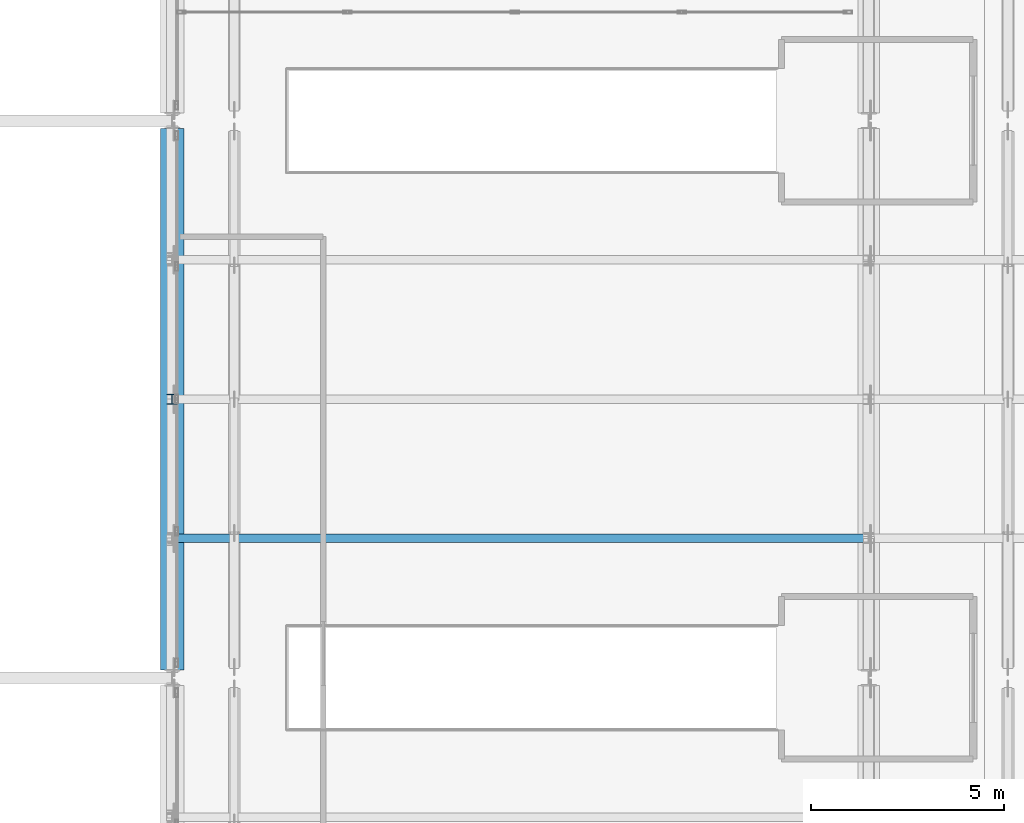
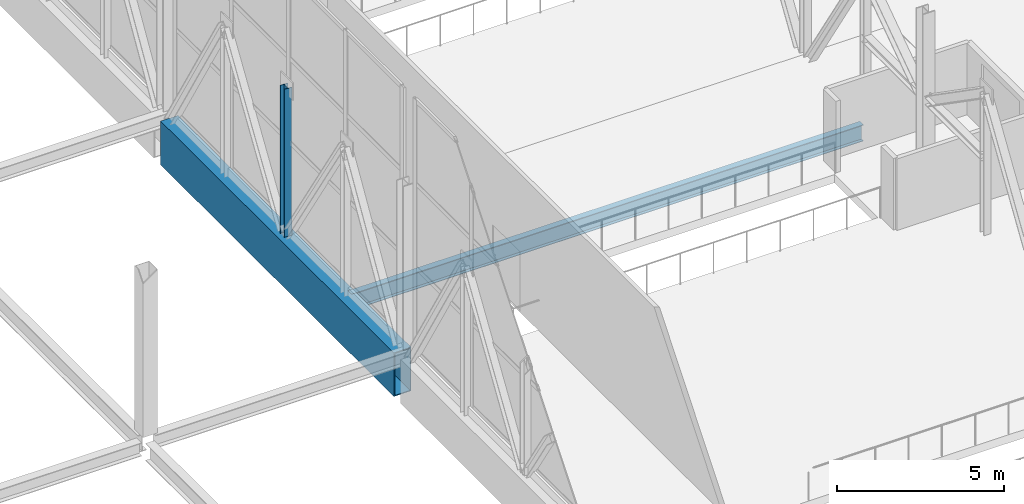
# One storey, part 38 of 191: 2 beams, 1 member.
"""IFC4 building model written with IfcOpenShell, lengths in metres."""

from ifc_helpers import new_model, si_unit, direction, frame, origin, origin_2d, place, context, subcontext, project, spatial, hollow_rectangle, i_section, extrude, material, material_profile, profile_set, type_object, element, save


model = new_model("IFC4")

# Units and contexts
model_context = context("Model", 3, precision=1e-05, world=origin(), true_north=direction((0.0, 1.0)))
body_context = subcontext(model_context, "Body", "Model", "MODEL_VIEW")
ifc_project = project(units=[si_unit("LENGTHUNIT", "METRE"), si_unit("AREAUNIT", "SQUARE_METRE"), si_unit("VOLUMEUNIT", "CUBIC_METRE"), si_unit("PLANEANGLEUNIT", "RADIAN"), si_unit("MASSUNIT", "GRAM", prefix="KILO")], contexts=[model_context])

# Site, building, storey
site_placement = place(None, origin())
site = spatial("IfcSite", under=ifc_project, at=site_placement, CompositionType="ELEMENT")
building_placement = place(site_placement, origin())
building = spatial("IfcBuilding", under=site, at=building_placement, Name="Tamarisk Ironworks Central Station", CompositionType="ELEMENT")
storey_placement = place(building_placement, frame((0.0, 0.0, 6.60009765625)))
storey = spatial("IfcBuildingStorey", under=building, at=storey_placement, Name="L01", CompositionType="ELEMENT", Elevation=6.60009765625)

# Beams
ifc_material = material(Name="Structural steel S355J2", Category="steel")
ifc_material_profile_1 = material_profile(ifc_material, i_section(OverallWidth=0.219970703125, OverallDepth=0.60009765625, WebThickness=0.011962890625, FlangeThickness=0.01904296875, at=origin_2d()), Name="IPE 600")
ifc_profile_set_1 = profile_set([ifc_material_profile_1], Name="Structural steel S355J2")
beam_type_1 = type_object("IfcBeamType", Name="BM-B01", PredefinedType="BEAM", material=ifc_profile_set_1)
beam_1_placement = place(storey_placement, frame((54.135009765625, 54.0, -0.60009765625), z_axis=(1.0, 0.0, 0.0), x_axis=(0.0, 1.0, 0.0)))
element("IfcBeam", 1, at=beam_1_placement, inside=storey, type_object=beam_type_1, Name="L01 secondary composite beam 0007", PredefinedType="BEAM", context=body_context, shape_type="SweptSolid", body=[
    extrude(i_section(OverallWidth=0.219970703125, OverallDepth=0.60009765625, WebThickness=0.011962890625, FlangeThickness=0.01904296875, at=origin_2d()), origin(), (0.0, 0.0, 1.0), 17.72998046875),
])
ifc_material_profile_2 = material_profile(ifc_material, hollow_rectangle(XDim=0.60009765625, YDim=1.60009765625, WallThickness=0.031982421875, at=origin_2d()), Name="BOX 600x1600x32")
ifc_profile_set_2 = profile_set([ifc_material_profile_2], Name="Structural steel S355J2")
beam_type_2 = type_object("IfcBeamType", Name="BM-TG01", PredefinedType="USERDEFINED", material=ifc_profile_set_2)
beam_2_placement = place(storey_placement, frame((54.0, 50.6005859375, -1.10009765625), z_axis=(0.0, 1.0, 0.0), x_axis=(-1.0, 0.0, 0.0)))
element("IfcBeam", 2, at=beam_2_placement, inside=storey, type_object=beam_type_2, Name="L01 primary girder Y-0210", ObjectType="TRANSFER GIRDER", PredefinedType="USERDEFINED", context=body_context, shape_type="SweptSolid", body=[
    extrude(hollow_rectangle(XDim=0.60009765625, YDim=1.60009765625, WallThickness=0.031982421875, at=origin_2d()), origin(), (0.0, 0.0, 1.0), 13.9990234375),
])

# Member
ifc_material_profile_3 = material_profile(ifc_material, i_section(OverallWidth=0.260009765625, OverallDepth=0.260009765625, WebThickness=0.010009765625, FlangeThickness=0.017578125, at=origin_2d()), Name="HEB 260")
ifc_profile_set_3 = profile_set([ifc_material_profile_3], Name="Structural steel S355J2")
member_type = type_object("IfcMemberType", Name="MB-TTP01", PredefinedType="POST", material=ifc_profile_set_3)
member_placement = place(storey_placement, frame((54.0, 57.60009765625, -0.340087890625), z_axis=(0.0, 0.0, 1.0), x_axis=(1.0, 0.0, 0.0)))
element("IfcMember", 3, at=member_placement, inside=storey, type_object=member_type, Name="Transfer truss vertical post 019", PredefinedType="POST", context=body_context, shape_type="SweptSolid", body=[
    extrude(i_section(OverallWidth=0.260009765625, OverallDepth=0.260009765625, WebThickness=0.010009765625, FlangeThickness=0.017578125, at=origin_2d()), origin(), (0.0, 0.0, 1.0), 5.4599609375),
])

save(model, "model.ifc")
